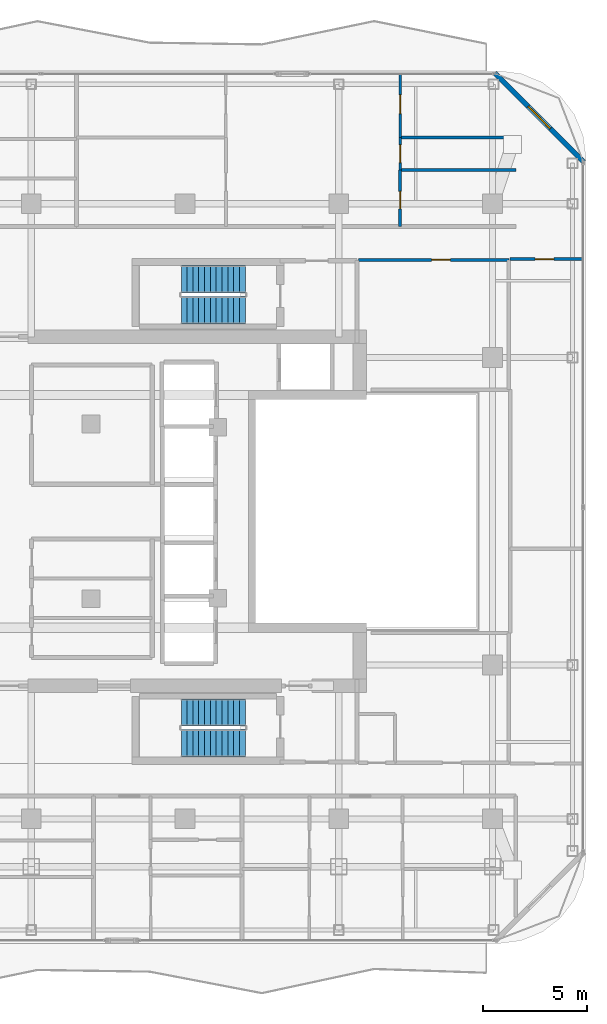
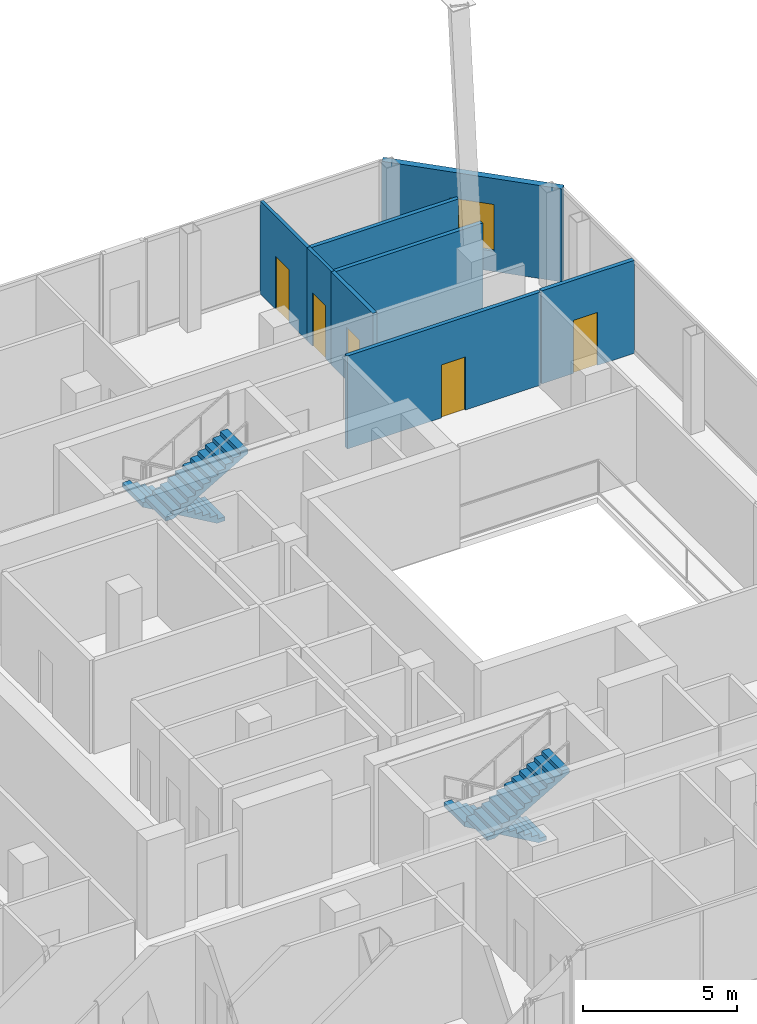
# One storey, part 21 of 24: 8 walls, 5 doors, 4 stair flights, 1 window, 6 openings, 2 elements without a shape of their own.
"""IFC4 building model written with IfcOpenShell, lengths in metres."""

from ifc_helpers import new_model, si_unit, direction, frame, frame_2d, origin, place, context, subcontext, project, spatial, polyline, rectangle, outline, extrude, material, layer, layer_set, type_object, element, fill, aggregate, save


model = new_model("IFC4")

# Units and contexts
model_context = context("Model", 3, precision=1e-05, world=origin(), true_north=direction((0.0, 1.0)))
body_context = subcontext(model_context, "Body", "Model", "MODEL_VIEW")
ifc_project = project(units=[si_unit("LENGTHUNIT", "METRE"), si_unit("AREAUNIT", "SQUARE_METRE"), si_unit("VOLUMEUNIT", "CUBIC_METRE"), si_unit("PLANEANGLEUNIT", "RADIAN"), si_unit("MASSUNIT", "GRAM", prefix="KILO")], contexts=[model_context])

# Site, building, storey
site_placement = place(None, origin())
site = spatial("IfcSite", under=ifc_project, at=site_placement, CompositionType="ELEMENT")
building_placement = place(site_placement, origin())
building = spatial("IfcBuilding", under=site, at=building_placement, Name="Khorvyn Point Tower", CompositionType="ELEMENT")
storey_placement = place(building_placement, frame((0.0, 0.0, 301.5)))
storey = spatial("IfcBuildingStorey", under=building, at=storey_placement, Name="L74", CompositionType="ELEMENT", Elevation=301.5)

# Wall, opening, window
ifc_material_1 = material(Name="Pale anodised aluminium rainscreen on steel stud", Category="steel")
ifc_layer_1 = layer(ifc_material_1, 0.239990234375)
ifc_layer_set_1 = layer_set([ifc_layer_1], Name="Anodised Aluminium Insulated Corner Spandrel Wall 240")
wall_type_1 = type_object("IfcWallType", Name="Anodised Aluminium Insulated Corner Spandrel Wall 240", PredefinedType="SOLIDWALL", material=ifc_layer_set_1)
wall_1_placement = place(storey_placement, frame((14.90771484375, 21.09228515625, 0.0), z_axis=(0.0, 0.0, 1.0), x_axis=(0.707106781187, -0.707106781187, 0.0)))
wall_1 = element("IfcWall", 1, at=wall_1_placement, inside=storey, type_object=wall_type_1, Name="L74 Rounded Corner Wall NE", PredefinedType="SOLIDWALL", context=body_context, shape_type="SweptSolid", body=[
    extrude(rectangle(XDim=6.059326171875, YDim=0.239990234375, at=frame_2d((3.02978515625, 0.0))), origin(), (0.0, 0.0, 1.0), 3.679931640625),
])
opening_1_placement = place(wall_1_placement, frame((2.27978515625, 0.0, 0.800048828125)))
opening_1 = element("IfcOpeningElement", 2, at=opening_1_placement, cuts=wall_1, Name="Opening WN-1518", PredefinedType="OPENING", context=body_context, shape_type="SweptSolid", body=[
    extrude(rectangle(XDim=1.5, YDim=1.85009765625, at=frame_2d((0.75, 0.925048828125))), frame((0.0, 0.1298828125, 0.0), z_axis=(0.0, -1.0, 0.0), x_axis=(1.0, 0.0, 0.0)), (0.0, 0.0, 1.0), 0.260009765625),
])
ifc_material_2 = material(Name="Anodised aluminium 6063-T6 and laminated Low-E glass", Category="aluminium")
window_type = type_object("IfcWindowType", Name="Anodised Aluminium Rounded-Corner Panoramic Window 1500x1850", PartitioningType="SINGLE_PANEL", PredefinedType="WINDOW", material=ifc_material_2)
window_placement = place(opening_1_placement, origin())
window = element("IfcWindow", 3, at=window_placement, inside=storey, type_object=window_type, Name="L74 Corner Panoramic Window NE", OverallHeight=1.85009765625, OverallWidth=1.5, PartitioningType="SINGLE_PANEL", PredefinedType="WINDOW", context=body_context, shape_type="SweptSolid", body=[
    extrude(rectangle(XDim=1.5, YDim=1.85009765625, at=frame_2d((0.75, 0.925048828125))), frame((0.0, 0.030029296875, 0.0), z_axis=(0.0, -1.0, 0.0), x_axis=(1.0, 0.0, 0.0)), (0.0, 0.0, 1.0), 0.06005859375),
])
fill(opening_1, window)

# Wall, opening, door
ifc_material_3 = material(Name="Gypsum plasterboard on steel stud", Category="steel")
ifc_layer_2 = layer(ifc_material_3, 0.1201171875)
ifc_layer_set_2 = layer_set([ifc_layer_2], Name="Gypsum Acoustic Stud Room Partition Wall 120")
wall_type_2 = type_object("IfcWallType", Name="Gypsum Acoustic Stud Room Partition Wall 120", PredefinedType="PARTITIONING", material=ifc_layer_set_2)
wall_2_placement = place(storey_placement, frame((10.35205078125, 16.419921875, 0.0), z_axis=(0.0, 0.0, 1.0), x_axis=(0.0, 1.0, 0.0)))
wall_2 = element("IfcWall", 4, at=wall_2_placement, inside=storey, type_object=wall_type_2, Name="Wall", PredefinedType="PARTITIONING", context=body_context, shape_type="SweptSolid", body=[
    extrude(rectangle(XDim=1.570068359375, YDim=0.1201171875, at=frame_2d((0.78515625, 0.0))), origin(), (0.0, 0.0, 1.0), 3.679931640625),
])
opening_2_placement = place(wall_2_placement, frame((0.360107421875, 0.0, 0.0)))
opening_2 = element("IfcOpeningElement", 5, at=opening_2_placement, cuts=wall_2, Name="Opening ID-WC85", PredefinedType="OPENING", context=body_context, shape_type="SweptSolid", body=[
    extrude(rectangle(XDim=0.85009765625, YDim=2.10009765625, at=frame_2d((0.425048828125, 1.050048828125))), frame((0.0, 0.070068359375, 0.0), z_axis=(0.0, -1.0, 0.0), x_axis=(1.0, 0.0, 0.0)), (0.0, 0.0, 1.0), 0.14013671875),
])
ifc_material_4 = material(Name="High-pressure laminate on moisture-resistant core", Category="wood")
door_type_1 = type_object("IfcDoorType", Name="Moisture-Resistant Accessible Washroom Door 850x2100", OperationType="NOTDEFINED", PredefinedType="DOOR", material=ifc_material_4)
door_1_placement = place(opening_2_placement, origin())
door_1 = element("IfcDoor", 6, at=door_1_placement, inside=storey, type_object=door_type_1, Name="Door", OperationType="SINGLE_SWING_LEFT", OverallHeight=2.10009765625, OverallWidth=0.85009765625, PredefinedType="DOOR", context=body_context, shape_type="SweptSolid", body=[
    extrude(rectangle(XDim=0.85009765625, YDim=2.10009765625, at=frame_2d((0.425048828125, 1.050048828125))), frame((0.0, 0.02490234375, 0.0), z_axis=(0.0, -1.0, 0.0), x_axis=(1.0, 0.0, 0.0)), (0.0, 0.0, 1.0), 0.050048828125),
])
fill(opening_2, door_1)

wall_3_placement = place(storey_placement, frame((10.35205078125, 17.989990234375, 0.0), z_axis=(0.0, 0.0, 1.0), x_axis=(0.0, 1.0, 0.0)))
wall_3 = element("IfcWall", 7, at=wall_3_placement, inside=storey, type_object=wall_type_2, Name="Wall", PredefinedType="PARTITIONING", context=body_context, shape_type="SweptSolid", body=[
    extrude(rectangle(XDim=3.0400390625, YDim=0.1201171875, at=frame_2d((1.52001953125, 0.0))), origin(), (0.0, 0.0, 1.0), 3.679931640625),
])
opening_3_placement = place(wall_3_placement, frame((1.152587890625, 0.0, 0.0)))
opening_3 = element("IfcOpeningElement", 8, at=opening_3_placement, cuts=wall_3, Name="Opening ID-RM90", PredefinedType="OPENING", context=body_context, shape_type="SweptSolid", body=[
    extrude(rectangle(XDim=0.89990234375, YDim=2.10009765625, at=frame_2d((0.449951171875, 1.050048828125))), frame((0.0, 0.070068359375, 0.0), z_axis=(0.0, -1.0, 0.0), x_axis=(1.0, 0.0, 0.0)), (0.0, 0.0, 1.0), 0.14013671875),
])
ifc_material_5 = material(Name="Engineered oak veneer timber", Category="wood")
door_type_2 = type_object("IfcDoorType", Name="Flush Engineered Timber Room Door 900x2100", OperationType="NOTDEFINED", PredefinedType="DOOR", material=ifc_material_5)
door_2_placement = place(opening_3_placement, origin())
door_2 = element("IfcDoor", 9, at=door_2_placement, inside=storey, type_object=door_type_2, Name="Door", OperationType="SINGLE_SWING_RIGHT", OverallHeight=2.10009765625, OverallWidth=0.89990234375, PredefinedType="DOOR", context=body_context, shape_type="SweptSolid", body=[
    extrude(rectangle(XDim=0.89990234375, YDim=2.10009765625, at=frame_2d((0.449951171875, 1.050048828125))), frame((0.0, 0.02490234375, 0.0), z_axis=(0.0, -1.0, 0.0), x_axis=(1.0, 0.0, 0.0)), (0.0, 0.0, 1.0), 0.050048828125),
])
fill(opening_3, door_2)

ifc_material_6 = material(Name="Moisture-resistant gypsum and cement board", Category="gypsum")
ifc_layer_3 = layer(ifc_material_6, 0.14990234375)
ifc_layer_set_3 = layer_set([ifc_layer_3], Name="Moisture-Resistant Wet-Room Partition Wall 150")
wall_type_3 = type_object("IfcWallType", Name="Moisture-Resistant Wet-Room Partition Wall 150", PredefinedType="PARTITIONING", material=ifc_layer_set_3)
wall_4_placement = place(storey_placement, frame((8.360107421875, 12.10009765625, 0.0), z_axis=(0.0, 0.0, 1.0), x_axis=(1.0, 0.0, 0.0)))
wall_4 = element("IfcWall", 10, at=wall_4_placement, inside=storey, type_object=wall_type_3, Name="Wall", PredefinedType="PARTITIONING", context=body_context, shape_type="SweptSolid", body=[
    extrude(rectangle(XDim=7.219970703125, YDim=0.14990234375, at=frame_2d((3.60986328125, 0.0))), origin(), (0.0, 0.0, 1.0), 3.679931640625),
])
opening_4_placement = place(wall_4_placement, frame((3.512939453125, 0.0, 0.0)))
opening_4 = element("IfcOpeningElement", 11, at=opening_4_placement, cuts=wall_4, Name="Opening ID-RM90", PredefinedType="OPENING", context=body_context, shape_type="SweptSolid", body=[
    extrude(rectangle(XDim=0.89990234375, YDim=2.10009765625, at=frame_2d((0.449951171875, 1.050048828125))), frame((0.0, 0.0849609375, 0.0), z_axis=(0.0, -1.0, 0.0), x_axis=(1.0, 0.0, 0.0)), (0.0, 0.0, 1.0), 0.169921875),
])
door_3_placement = place(opening_4_placement, origin())
door_3 = element("IfcDoor", 12, at=door_3_placement, inside=storey, type_object=door_type_2, Name="Door", OperationType="SINGLE_SWING_RIGHT", OverallHeight=2.10009765625, OverallWidth=0.89990234375, PredefinedType="DOOR", context=body_context, shape_type="SweptSolid", body=[
    extrude(rectangle(XDim=0.89990234375, YDim=2.10009765625, at=frame_2d((0.449951171875, 1.050048828125))), frame((0.0, 0.02490234375, 0.0), z_axis=(0.0, -1.0, 0.0), x_axis=(1.0, 0.0, 0.0)), (0.0, 0.0, 1.0), 0.050048828125),
])
fill(opening_4, door_3)

wall_5_placement = place(storey_placement, frame((10.35205078125, 13.699951171875, 0.0), z_axis=(0.0, 0.0, 1.0), x_axis=(0.0, 1.0, 0.0)))
wall_5 = element("IfcWall", 13, at=wall_5_placement, inside=storey, type_object=wall_type_3, Name="Wall", PredefinedType="PARTITIONING", context=body_context, shape_type="SweptSolid", body=[
    extrude(rectangle(XDim=2.719970703125, YDim=0.14990234375, at=frame_2d((1.35986328125, 0.0))), origin(), (0.0, 0.0, 1.0), 3.679931640625),
])
opening_5_placement = place(wall_5_placement, frame((0.848876953125, 0.0, 0.0)))
opening_5 = element("IfcOpeningElement", 14, at=opening_5_placement, cuts=wall_5, Name="Opening ID-WC85", PredefinedType="OPENING", context=body_context, shape_type="SweptSolid", body=[
    extrude(rectangle(XDim=0.85009765625, YDim=2.10009765625, at=frame_2d((0.425048828125, 1.050048828125))), frame((0.0, 0.0849609375, 0.0), z_axis=(0.0, -1.0, 0.0), x_axis=(1.0, 0.0, 0.0)), (0.0, 0.0, 1.0), 0.169921875),
])
door_4_placement = place(opening_5_placement, origin())
door_4 = element("IfcDoor", 15, at=door_4_placement, inside=storey, type_object=door_type_1, Name="Door", OperationType="SINGLE_SWING_RIGHT", OverallHeight=2.10009765625, OverallWidth=0.85009765625, PredefinedType="DOOR", context=body_context, shape_type="SweptSolid", body=[
    extrude(rectangle(XDim=0.85009765625, YDim=2.10009765625, at=frame_2d((0.425048828125, 1.050048828125))), frame((0.0, 0.02490234375, 0.0), z_axis=(0.0, -1.0, 0.0), x_axis=(1.0, 0.0, 0.0)), (0.0, 0.0, 1.0), 0.050048828125),
])
fill(opening_5, door_4)

wall_6_placement = place(storey_placement, frame((15.64990234375, 12.139892578125, 0.0), z_axis=(0.0, 0.0, 1.0), x_axis=(1.0, 0.0, 0.0)))
wall_6 = element("IfcWall", 16, at=wall_6_placement, inside=storey, type_object=wall_type_3, Name="Wall", PredefinedType="PARTITIONING", context=body_context, shape_type="SweptSolid", body=[
    extrude(rectangle(XDim=3.47021484375, YDim=0.14990234375, at=frame_2d((1.735107421875, 0.0))), origin(), (0.0, 0.0, 1.0), 3.679931640625),
])
opening_6_placement = place(wall_6_placement, frame((1.198486328125, 0.0, 0.0)))
opening_6 = element("IfcOpeningElement", 17, at=opening_6_placement, cuts=wall_6, Name="Opening ID-RM90", PredefinedType="OPENING", context=body_context, shape_type="SweptSolid", body=[
    extrude(rectangle(XDim=0.89990234375, YDim=2.10009765625, at=frame_2d((0.449951171875, 1.050048828125))), frame((0.0, 0.0849609375, 0.0), z_axis=(0.0, -1.0, 0.0), x_axis=(1.0, 0.0, 0.0)), (0.0, 0.0, 1.0), 0.169921875),
])
door_5_placement = place(opening_6_placement, origin())
door_5 = element("IfcDoor", 18, at=door_5_placement, inside=storey, type_object=door_type_2, Name="Door", OperationType="SINGLE_SWING_LEFT", OverallHeight=2.10009765625, OverallWidth=0.89990234375, PredefinedType="DOOR", context=body_context, shape_type="SweptSolid", body=[
    extrude(rectangle(XDim=0.89990234375, YDim=2.10009765625, at=frame_2d((0.449951171875, 1.050048828125))), frame((0.0, 0.02490234375, 0.0), z_axis=(0.0, -1.0, 0.0), x_axis=(1.0, 0.0, 0.0)), (0.0, 0.0, 1.0), 0.050048828125),
])
fill(opening_6, door_5)

# Walls
for number, where, z_axis, x_axis, name in (
    (19, (10.35205078125, 16.419921875, 0.0), (0.0, 0.0, 1.0), (1.0, 0.0, 0.0), "Wall"),
    (20, (10.35205078125, 17.989990234375, 0.0), (0.0, 0.0, 1.0), (1.0, 0.0, 0.0), "Wall"),
):
    element("IfcWall", number, at=place(storey_placement, frame(where, z_axis=z_axis, x_axis=x_axis)), inside=storey, type_object=wall_type_3, Name=name, PredefinedType="PARTITIONING", context=body_context, shape_type="SweptSolid", body=[
        extrude(rectangle(XDim=5.56787109375, YDim=0.14990234375, at=frame_2d((2.783935546875, 0.0))), origin(), (0.0, 0.0, 1.0), 3.679931640625),
    ])

# Stair, stair flights
ifc_material_7 = material(Name="Concrete C40/50", Category="concrete")
stair_type = type_object("IfcStairType", Name="Tower Concrete C40/50 Dogleg Exit Stair", PredefinedType="HALF_TURN_STAIR", material=ifc_material_7)
stair_1_placement = place(storey_placement, origin())
stair_1 = element("IfcStair", 21, at=stair_1_placement, inside=storey, type_object=stair_type, Name="L74 Tower Smokeproof Exit Stair South", PredefinedType="HALF_TURN_STAIR")
stair_flight_type = type_object("IfcStairFlightType", Name="Tower Concrete C40/50 Stair Flight", PredefinedType="STRAIGHT", material=ifc_material_7)
stair_flight_1_placement = place(storey_placement, frame((2.89990234375, -9.679931640625, 0.0), z_axis=(0.0, 0.0, 1.0), x_axis=(-1.0, 0.0, 0.0)))
stair_flight_1 = element("IfcStairFlight", 22, at=stair_flight_1_placement, type_object=stair_flight_type, Name="ST-01 flight 1", NumberOfRisers=12, NumberOfTreads=11, PredefinedType="STRAIGHT", RiserHeight=0.1625, TreadLength=0.28, context=body_context, shape_type="SweptSolid", body=[
    extrude(outline(polyline([(0.0, 0.0), (0.0, 0.16259765625), (0.280029296875, 0.16259765625), (0.280029296875, 0.324951171875), (0.56005859375, 0.324951171875), (0.56005859375, 0.487548828125), (0.840087890625, 0.487548828125), (0.840087890625, 0.64990234375), (1.1201171875, 0.64990234375), (1.1201171875, 0.8125), (1.39990234375, 0.8125), (1.39990234375, 0.97509765625), (1.679931640625, 0.97509765625), (1.679931640625, 1.137451171875), (1.9599609375, 1.137451171875), (1.9599609375, 1.300048828125), (2.239990234375, 1.300048828125), (2.239990234375, 1.46240234375), (2.52001953125, 1.46240234375), (2.52001953125, 1.625), (2.800048828125, 1.625), (2.800048828125, 1.78759765625), (3.080078125, 1.78759765625), (3.080078125, 1.949951171875), (3.080078125, 1.6142578125), (0.298583984375, 0.0), (0.0, 0.0)])), frame((0.0, 0.66015625, 0.0), z_axis=(0.0, -1.0, 0.0), x_axis=(1.0, 0.0, 0.0)), (0.0, 0.0, 1.0), 1.320068359375),
])
stair_flight_2_placement = place(storey_placement, frame((-0.179931640625, -11.159912109375, 1.949951171875), z_axis=(0.0, 0.0, 1.0), x_axis=(1.0, 0.0, 0.0)))
stair_flight_2 = element("IfcStairFlight", 23, at=stair_flight_2_placement, type_object=stair_flight_type, Name="ST-01 flight 2", NumberOfRisers=12, NumberOfTreads=11, PredefinedType="STRAIGHT", RiserHeight=0.1625, TreadLength=0.28, context=body_context, shape_type="SweptSolid", body=[
    extrude(outline(polyline([(0.0, 0.0), (0.0, 0.16259765625), (0.280029296875, 0.16259765625), (0.280029296875, 0.324951171875), (0.56005859375, 0.324951171875), (0.56005859375, 0.487548828125), (0.840087890625, 0.487548828125), (0.840087890625, 0.64990234375), (1.1201171875, 0.64990234375), (1.1201171875, 0.8125), (1.39990234375, 0.8125), (1.39990234375, 0.97509765625), (1.679931640625, 0.97509765625), (1.679931640625, 1.137451171875), (1.9599609375, 1.137451171875), (1.9599609375, 1.300048828125), (2.239990234375, 1.300048828125), (2.239990234375, 1.46240234375), (2.52001953125, 1.46240234375), (2.52001953125, 1.625), (2.800048828125, 1.625), (2.800048828125, 1.78759765625), (3.080078125, 1.78759765625), (3.080078125, 1.949951171875), (3.080078125, 1.6142578125), (0.298583984375, 0.0), (0.0, 0.0)])), frame((0.0, 0.66015625, 0.0), z_axis=(0.0, -1.0, 0.0), x_axis=(1.0, 0.0, 0.0)), (0.0, 0.0, 1.0), 1.320068359375),
])
aggregate(stair_1, [stair_flight_1, stair_flight_2])

stair_2_placement = place(storey_placement, origin())
stair_2 = element("IfcStair", 24, at=stair_2_placement, inside=storey, type_object=stair_type, Name="L74 Tower Smokeproof Exit Stair North", PredefinedType="HALF_TURN_STAIR")
stair_flight_3_placement = place(storey_placement, frame((2.89990234375, 11.159912109375, 0.0), z_axis=(0.0, 0.0, 1.0), x_axis=(-1.0, 0.0, 0.0)))
stair_flight_3 = element("IfcStairFlight", 25, at=stair_flight_3_placement, type_object=stair_flight_type, Name="ST-02 flight 1", NumberOfRisers=12, NumberOfTreads=11, PredefinedType="STRAIGHT", RiserHeight=0.1625, TreadLength=0.28, context=body_context, shape_type="SweptSolid", body=[
    extrude(outline(polyline([(0.0, 0.0), (0.0, 0.16259765625), (0.280029296875, 0.16259765625), (0.280029296875, 0.324951171875), (0.56005859375, 0.324951171875), (0.56005859375, 0.487548828125), (0.840087890625, 0.487548828125), (0.840087890625, 0.64990234375), (1.1201171875, 0.64990234375), (1.1201171875, 0.8125), (1.39990234375, 0.8125), (1.39990234375, 0.97509765625), (1.679931640625, 0.97509765625), (1.679931640625, 1.137451171875), (1.9599609375, 1.137451171875), (1.9599609375, 1.300048828125), (2.239990234375, 1.300048828125), (2.239990234375, 1.46240234375), (2.52001953125, 1.46240234375), (2.52001953125, 1.625), (2.800048828125, 1.625), (2.800048828125, 1.78759765625), (3.080078125, 1.78759765625), (3.080078125, 1.949951171875), (3.080078125, 1.6142578125), (0.298583984375, 0.0), (0.0, 0.0)])), frame((0.0, 0.66015625, 0.0), z_axis=(0.0, -1.0, 0.0), x_axis=(1.0, 0.0, 0.0)), (0.0, 0.0, 1.0), 1.320068359375),
])
stair_flight_4_placement = place(storey_placement, frame((-0.179931640625, 9.679931640625, 1.949951171875), z_axis=(0.0, 0.0, 1.0), x_axis=(1.0, 0.0, 0.0)))
stair_flight_4 = element("IfcStairFlight", 26, at=stair_flight_4_placement, type_object=stair_flight_type, Name="ST-02 flight 2", NumberOfRisers=12, NumberOfTreads=11, PredefinedType="STRAIGHT", RiserHeight=0.1625, TreadLength=0.28, context=body_context, shape_type="SweptSolid", body=[
    extrude(outline(polyline([(0.0, 0.0), (0.0, 0.16259765625), (0.280029296875, 0.16259765625), (0.280029296875, 0.324951171875), (0.56005859375, 0.324951171875), (0.56005859375, 0.487548828125), (0.840087890625, 0.487548828125), (0.840087890625, 0.64990234375), (1.1201171875, 0.64990234375), (1.1201171875, 0.8125), (1.39990234375, 0.8125), (1.39990234375, 0.97509765625), (1.679931640625, 0.97509765625), (1.679931640625, 1.137451171875), (1.9599609375, 1.137451171875), (1.9599609375, 1.300048828125), (2.239990234375, 1.300048828125), (2.239990234375, 1.46240234375), (2.52001953125, 1.46240234375), (2.52001953125, 1.625), (2.800048828125, 1.625), (2.800048828125, 1.78759765625), (3.080078125, 1.78759765625), (3.080078125, 1.949951171875), (3.080078125, 1.6142578125), (0.298583984375, 0.0), (0.0, 0.0)])), frame((0.0, 0.66015625, 0.0), z_axis=(0.0, -1.0, 0.0), x_axis=(1.0, 0.0, 0.0)), (0.0, 0.0, 1.0), 1.320068359375),
])
aggregate(stair_2, [stair_flight_3, stair_flight_4])

save(model, "model.ifc")
